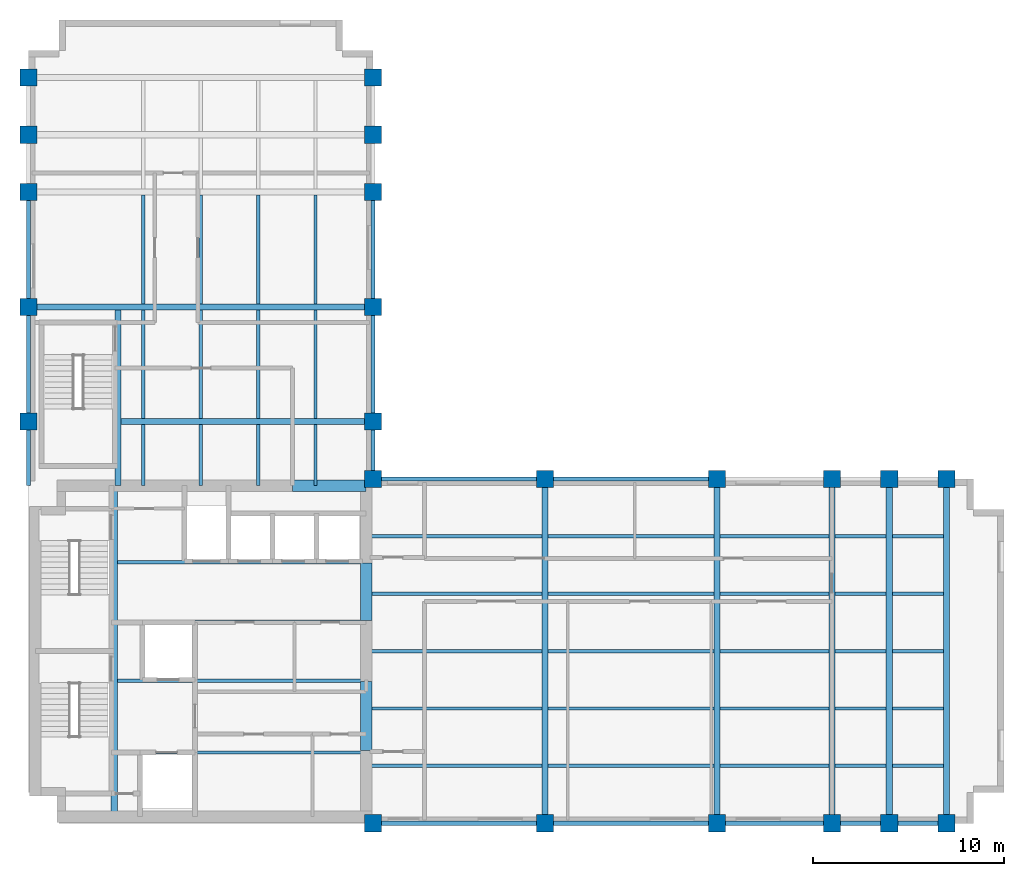
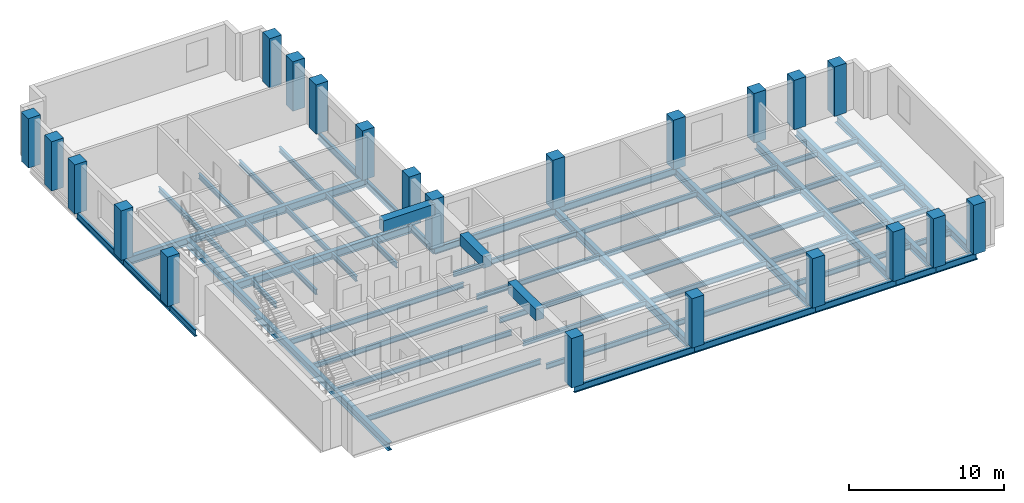
# One storey, part 1 of 6: 66 beams, 22 columns.
"""IFC4 building model written with IfcOpenShell, lengths in metres."""

from ifc_helpers import new_model, si_unit, direction, frame, origin, origin_2d, place, context, subcontext, project, spatial, rectangle, i_section, extrude, material, material_profile, profile_set, type_object, element, save


model = new_model("IFC4")

# Units and contexts
model_context = context("Model", 3, precision=1e-05, world=origin(), true_north=direction((0.0, 1.0)))
body_context = subcontext(model_context, "Body", "Model", "MODEL_VIEW")
ifc_project = project(units=[si_unit("LENGTHUNIT", "METRE"), si_unit("AREAUNIT", "SQUARE_METRE"), si_unit("VOLUMEUNIT", "CUBIC_METRE"), si_unit("PLANEANGLEUNIT", "RADIAN"), si_unit("MASSUNIT", "GRAM", prefix="KILO")], contexts=[model_context])

# Site, building, storey
site_placement = place(None, origin())
site = spatial("IfcSite", under=ifc_project, at=site_placement, CompositionType="ELEMENT")
building_placement = place(site_placement, origin())
building = spatial("IfcBuilding", under=site, at=building_placement, Name="Mawjdan Bourse Tower", CompositionType="ELEMENT")
storey_placement = place(building_placement, frame((0.0, 0.0, 187.800048828125)))
storey = spatial("IfcBuildingStorey", under=building, at=storey_placement, Name="L45", CompositionType="ELEMENT", Elevation=187.800048828125)

# Columns
ifc_material_1 = material(Name="Concrete C70/85", Category="concrete")
ifc_material_profile_1 = material_profile(ifc_material_1, rectangle(XDim=0.89990234375, YDim=0.89990234375, at=origin_2d()), Name="RC900X900")
ifc_profile_set_1 = profile_set([ifc_material_profile_1], Name="Concrete C70/85")
column_type = type_object("IfcColumnType", Name="COL-RC900X900", PredefinedType="COLUMN", material=ifc_profile_set_1)
for number, where, z_axis, x_axis, name in (
    (1, (24.0, 3.0, 0.0), (0.0, 0.0, 1.0), (1.0, 0.0, 0.0), "L45 Structural Column C-X240-Y30"),
    (2, (24.0, 21.0, 0.0), (0.0, 0.0, 1.0), (1.0, 0.0, 0.0), "L45 Structural Column C-X240-Y210"),
    (3, (33.0, 3.0, 0.0), (0.0, 0.0, 1.0), (1.0, 0.0, 0.0), "L45 Structural Column C-X330-Y30"),
    (4, (33.0, 21.0, 0.0), (0.0, 0.0, 1.0), (1.0, 0.0, 0.0), "L45 Structural Column C-X330-Y210"),
    (5, (42.0, 3.0, 0.0), (0.0, 0.0, 1.0), (1.0, 0.0, 0.0), "L45 Structural Column C-X420-Y30"),
    (6, (42.0, 21.0, 0.0), (0.0, 0.0, 1.0), (1.0, 0.0, 0.0), "L45 Structural Column C-X420-Y210"),
    (7, (48.0, 3.0, 0.0), (0.0, 0.0, 1.0), (1.0, 0.0, 0.0), "L45 Structural Column C-X480-Y30"),
    (8, (48.0, 21.0, 0.0), (0.0, 0.0, 1.0), (1.0, 0.0, 0.0), "L45 Structural Column C-X480-Y210"),
    (9, (51.0, 3.0, 0.0), (0.0, 0.0, 1.0), (1.0, 0.0, 0.0), "L45 Structural Column C-X510-Y30"),
    (10, (51.0, 21.0, 0.0), (0.0, 0.0, 1.0), (1.0, 0.0, 0.0), "L45 Structural Column C-X510-Y210"),
    (11, (54.0, 3.0, 0.0), (0.0, 0.0, 1.0), (1.0, 0.0, 0.0), "L45 Structural Column C-X540-Y30"),
    (12, (54.0, 21.0, 0.0), (0.0, 0.0, 1.0), (1.0, 0.0, 0.0), "L45 Structural Column C-X540-Y210"),
    (13, (6.0, 24.0, 0.0), (0.0, 0.0, 1.0), (1.0, 0.0, 0.0), "L45 Structural Column C-X60-Y240"),
    (14, (24.0, 24.0, 0.0), (0.0, 0.0, 1.0), (1.0, 0.0, 0.0), "L45 Structural Column C-X240-Y240"),
    (15, (6.0, 30.0, 0.0), (0.0, 0.0, 1.0), (1.0, 0.0, 0.0), "L45 Structural Column C-X60-Y300"),
    (16, (24.0, 30.0, 0.0), (0.0, 0.0, 1.0), (1.0, 0.0, 0.0), "L45 Structural Column C-X240-Y300"),
    (17, (6.0, 36.0, 0.0), (0.0, 0.0, 1.0), (1.0, 0.0, 0.0), "L45 Structural Column C-X60-Y360"),
    (18, (24.0, 36.0, 0.0), (0.0, 0.0, 1.0), (1.0, 0.0, 0.0), "L45 Structural Column C-X240-Y360"),
    (19, (6.0, 39.0, 0.0), (0.0, 0.0, 1.0), (1.0, 0.0, 0.0), "L45 Structural Column C-X60-Y390"),
    (20, (24.0, 39.0, 0.0), (0.0, 0.0, 1.0), (1.0, 0.0, 0.0), "L45 Structural Column C-X240-Y390"),
    (21, (6.0, 42.0, 0.0), (0.0, 0.0, 1.0), (1.0, 0.0, 0.0), "L45 Structural Column C-X60-Y420"),
    (22, (24.0, 42.0, 0.0), (0.0, 0.0, 1.0), (1.0, 0.0, 0.0), "L45 Structural Column C-X240-Y420"),
):
    element("IfcColumn", number, at=place(storey_placement, frame(where, z_axis=z_axis, x_axis=x_axis)), inside=storey, type_object=column_type, Name=name, PredefinedType="COLUMN", context=body_context, shape_type="SweptSolid", body=[
        extrude(rectangle(XDim=0.89990234375, YDim=0.89990234375, at=origin_2d()), origin(), (0.0, 0.0, 1.0), 3.89990234375),
    ])

# Beams
ifc_material_2 = material(Name="Structural Steel S355", Category="steel")
ifc_material_profile_2 = material_profile(ifc_material_2, i_section(OverallWidth=0.324951171875, OverallDepth=0.616943359375, WebThickness=0.013916015625, FlangeThickness=0.021484375, FilletRadius=0.017333984375, at=origin_2d()), Name="W24X117")
ifc_profile_set_2 = profile_set([ifc_material_profile_2], Name="Structural Steel S355")
beam_type_1 = type_object("IfcBeamType", Name="GRD-W24X117", PredefinedType="BEAM", material=ifc_profile_set_2)
beam_1_placement = place(storey_placement, frame((10.47998046875, 3.35009765625, -0.508544921875), z_axis=(0.0, 1.0, 0.0), x_axis=(-1.0, 0.0, 0.0)))
element("IfcBeam", 23, at=beam_1_placement, inside=storey, type_object=beam_type_1, Name="L45 Core Stair Trimmer Girder 001", PredefinedType="BEAM", context=body_context, shape_type="SweptSolid", body=[
    extrude(i_section(OverallWidth=0.324951171875, OverallDepth=0.616943359375, WebThickness=0.013916015625, FlangeThickness=0.021484375, FilletRadius=0.017333984375, at=origin_2d()), origin(), (0.0, 0.0, 1.0), 17.2998046875),
])
for number, where, z_axis, x_axis, name in (
    (24, (33.0, 3.0, -0.508544921875), (0.0, 1.0, 0.0), (-1.0, 0.0, 0.0), "L45 East Wing Clear-Span Girder 002"),
    (25, (42.0, 3.0, -0.508544921875), (0.0, 1.0, 0.0), (-1.0, 0.0, 0.0), "L45 East Wing Clear-Span Girder 003"),
    (26, (48.0, 3.0, -0.508544921875), (0.0, 1.0, 0.0), (-1.0, 0.0, 0.0), "L45 East Wing Clear-Span Girder 004"),
    (27, (51.0, 3.0, -0.508544921875), (0.0, 1.0, 0.0), (-1.0, 0.0, 0.0), "L45 East Wing Clear-Span Girder 005"),
    (28, (54.0, 3.0, -0.508544921875), (0.0, 1.0, 0.0), (-1.0, 0.0, 0.0), "L45 East Wing Clear-Span Girder 006"),
):
    element("IfcBeam", number, at=place(storey_placement, frame(where, z_axis=z_axis, x_axis=x_axis)), inside=storey, type_object=beam_type_1, Name=name, PredefinedType="BEAM", context=body_context, shape_type="SweptSolid", body=[
        extrude(i_section(OverallWidth=0.324951171875, OverallDepth=0.616943359375, WebThickness=0.013916015625, FlangeThickness=0.021484375, FilletRadius=0.017333984375, at=origin_2d()), origin(), (0.0, 0.0, 1.0), 18.0),
    ])
beam_2_placement = place(storey_placement, frame((10.679931640625, 20.64990234375, -0.508544921875), z_axis=(0.0, 1.0, 0.0), x_axis=(-1.0, 0.0, 0.0)))
element("IfcBeam", 29, at=beam_2_placement, inside=storey, type_object=beam_type_1, Name="L45 North Wing Stair Trimmer Girder 046", PredefinedType="BEAM", context=body_context, shape_type="SweptSolid", body=[
    extrude(i_section(OverallWidth=0.324951171875, OverallDepth=0.616943359375, WebThickness=0.013916015625, FlangeThickness=0.021484375, FilletRadius=0.017333984375, at=origin_2d()), origin(), (0.0, 0.0, 1.0), 9.189697265625),
])
beam_3_placement = place(storey_placement, frame((10.840576171875, 24.0, -0.508544921875), z_axis=(1.0, 0.0, 0.0), x_axis=(0.0, 1.0, 0.0)))
element("IfcBeam", 30, at=beam_3_placement, inside=storey, type_object=beam_type_1, Name="L45 North Wing Clear-Span Girder 047", PredefinedType="BEAM", context=body_context, shape_type="SweptSolid", body=[
    extrude(i_section(OverallWidth=0.324951171875, OverallDepth=0.616943359375, WebThickness=0.013916015625, FlangeThickness=0.021484375, FilletRadius=0.017333984375, at=origin_2d()), origin(), (0.0, 0.0, 1.0), 13.159423828125),
])
beam_4_placement = place(storey_placement, frame((6.0, 30.0, -0.508544921875), z_axis=(1.0, 0.0, 0.0), x_axis=(0.0, 1.0, 0.0)))
element("IfcBeam", 31, at=beam_4_placement, inside=storey, type_object=beam_type_1, Name="L45 North Wing Clear-Span Girder 048", PredefinedType="BEAM", context=body_context, shape_type="SweptSolid", body=[
    extrude(i_section(OverallWidth=0.324951171875, OverallDepth=0.616943359375, WebThickness=0.013916015625, FlangeThickness=0.021484375, FilletRadius=0.017333984375, at=origin_2d()), origin(), (0.0, 0.0, 1.0), 18.0),
])
ifc_material_profile_3 = material_profile(ifc_material_2, i_section(OverallWidth=0.177978515625, OverallDepth=0.406982421875, WebThickness=0.0078125, FlangeThickness=0.0126953125, FilletRadius=0.01025390625, at=origin_2d()), Name="W16X40")
ifc_profile_set_3 = profile_set([ifc_material_profile_3], Name="Structural Steel S355")
beam_type_2 = type_object("IfcBeamType", Name="JST-W16X40", PredefinedType="JOIST", material=ifc_profile_set_3)
beam_5_placement = place(storey_placement, frame((23.64990234375, 6.0, -0.403564453125), z_axis=(1.0, 0.0, 0.0), x_axis=(0.0, 1.0, 0.0)))
element("IfcBeam", 32, at=beam_5_placement, inside=storey, type_object=beam_type_2, Name="L45 East Wing Composite Joist 017", PredefinedType="JOIST", context=body_context, shape_type="SweptSolid", body=[
    extrude(i_section(OverallWidth=0.177978515625, OverallDepth=0.406982421875, WebThickness=0.0078125, FlangeThickness=0.0126953125, FilletRadius=0.01025390625, at=origin_2d()), origin(), (0.0, 0.0, 1.0), 9.189697265625),
])
beam_6_placement = place(storey_placement, frame((33.160400390625, 6.0, -0.403564453125), z_axis=(1.0, 0.0, 0.0), x_axis=(0.0, 1.0, 0.0)))
element("IfcBeam", 33, at=beam_6_placement, inside=storey, type_object=beam_type_2, Name="L45 East Wing Composite Joist 018", PredefinedType="JOIST", context=body_context, shape_type="SweptSolid", body=[
    extrude(i_section(OverallWidth=0.177978515625, OverallDepth=0.406982421875, WebThickness=0.0078125, FlangeThickness=0.0126953125, FilletRadius=0.01025390625, at=origin_2d()), origin(), (0.0, 0.0, 1.0), 8.67919921875),
])
beam_7_placement = place(storey_placement, frame((42.160400390625, 6.0, -0.403564453125), z_axis=(1.0, 0.0, 0.0), x_axis=(0.0, 1.0, 0.0)))
element("IfcBeam", 34, at=beam_7_placement, inside=storey, type_object=beam_type_2, Name="L45 East Wing Composite Joist 019", PredefinedType="JOIST", context=body_context, shape_type="SweptSolid", body=[
    extrude(i_section(OverallWidth=0.177978515625, OverallDepth=0.406982421875, WebThickness=0.0078125, FlangeThickness=0.0126953125, FilletRadius=0.01025390625, at=origin_2d()), origin(), (0.0, 0.0, 1.0), 5.67919921875),
])
for number, where, z_axis, x_axis, name in (
    (35, (48.160400390625, 6.0, -0.403564453125), (1.0, 0.0, 0.0), (0.0, 1.0, 0.0), "L45 East Wing Composite Joist 020"),
    (36, (51.160400390625, 6.0, -0.403564453125), (1.0, 0.0, 0.0), (0.0, 1.0, 0.0), "L45 East Wing Composite Joist 021"),
):
    element("IfcBeam", number, at=place(storey_placement, frame(where, z_axis=z_axis, x_axis=x_axis)), inside=storey, type_object=beam_type_2, Name=name, PredefinedType="JOIST", context=body_context, shape_type="SweptSolid", body=[
        extrude(i_section(OverallWidth=0.177978515625, OverallDepth=0.406982421875, WebThickness=0.0078125, FlangeThickness=0.0126953125, FilletRadius=0.01025390625, at=origin_2d()), origin(), (0.0, 0.0, 1.0), 2.67919921875),
    ])
beam_8_placement = place(storey_placement, frame((23.64990234375, 9.0, -0.403564453125), z_axis=(1.0, 0.0, 0.0), x_axis=(0.0, 1.0, 0.0)))
element("IfcBeam", 37, at=beam_8_placement, inside=storey, type_object=beam_type_2, Name="L45 East Wing Composite Joist 022", PredefinedType="JOIST", context=body_context, shape_type="SweptSolid", body=[
    extrude(i_section(OverallWidth=0.177978515625, OverallDepth=0.406982421875, WebThickness=0.0078125, FlangeThickness=0.0126953125, FilletRadius=0.01025390625, at=origin_2d()), origin(), (0.0, 0.0, 1.0), 9.189697265625),
])
beam_9_placement = place(storey_placement, frame((33.160400390625, 9.0, -0.403564453125), z_axis=(1.0, 0.0, 0.0), x_axis=(0.0, 1.0, 0.0)))
element("IfcBeam", 38, at=beam_9_placement, inside=storey, type_object=beam_type_2, Name="L45 East Wing Composite Joist 023", PredefinedType="JOIST", context=body_context, shape_type="SweptSolid", body=[
    extrude(i_section(OverallWidth=0.177978515625, OverallDepth=0.406982421875, WebThickness=0.0078125, FlangeThickness=0.0126953125, FilletRadius=0.01025390625, at=origin_2d()), origin(), (0.0, 0.0, 1.0), 8.67919921875),
])
beam_10_placement = place(storey_placement, frame((42.160400390625, 9.0, -0.403564453125), z_axis=(1.0, 0.0, 0.0), x_axis=(0.0, 1.0, 0.0)))
element("IfcBeam", 39, at=beam_10_placement, inside=storey, type_object=beam_type_2, Name="L45 East Wing Composite Joist 024", PredefinedType="JOIST", context=body_context, shape_type="SweptSolid", body=[
    extrude(i_section(OverallWidth=0.177978515625, OverallDepth=0.406982421875, WebThickness=0.0078125, FlangeThickness=0.0126953125, FilletRadius=0.01025390625, at=origin_2d()), origin(), (0.0, 0.0, 1.0), 5.67919921875),
])
for number, where, z_axis, x_axis, name in (
    (40, (48.160400390625, 9.0, -0.403564453125), (1.0, 0.0, 0.0), (0.0, 1.0, 0.0), "L45 East Wing Composite Joist 025"),
    (41, (51.160400390625, 9.0, -0.403564453125), (1.0, 0.0, 0.0), (0.0, 1.0, 0.0), "L45 East Wing Composite Joist 026"),
):
    element("IfcBeam", number, at=place(storey_placement, frame(where, z_axis=z_axis, x_axis=x_axis)), inside=storey, type_object=beam_type_2, Name=name, PredefinedType="JOIST", context=body_context, shape_type="SweptSolid", body=[
        extrude(i_section(OverallWidth=0.177978515625, OverallDepth=0.406982421875, WebThickness=0.0078125, FlangeThickness=0.0126953125, FilletRadius=0.01025390625, at=origin_2d()), origin(), (0.0, 0.0, 1.0), 2.67919921875),
    ])
beam_11_placement = place(storey_placement, frame((23.64990234375, 12.0, -0.403564453125), z_axis=(1.0, 0.0, 0.0), x_axis=(0.0, 1.0, 0.0)))
element("IfcBeam", 42, at=beam_11_placement, inside=storey, type_object=beam_type_2, Name="L45 East Wing Composite Joist 027", PredefinedType="JOIST", context=body_context, shape_type="SweptSolid", body=[
    extrude(i_section(OverallWidth=0.177978515625, OverallDepth=0.406982421875, WebThickness=0.0078125, FlangeThickness=0.0126953125, FilletRadius=0.01025390625, at=origin_2d()), origin(), (0.0, 0.0, 1.0), 9.189697265625),
])
beam_12_placement = place(storey_placement, frame((33.160400390625, 12.0, -0.403564453125), z_axis=(1.0, 0.0, 0.0), x_axis=(0.0, 1.0, 0.0)))
element("IfcBeam", 43, at=beam_12_placement, inside=storey, type_object=beam_type_2, Name="L45 East Wing Composite Joist 028", PredefinedType="JOIST", context=body_context, shape_type="SweptSolid", body=[
    extrude(i_section(OverallWidth=0.177978515625, OverallDepth=0.406982421875, WebThickness=0.0078125, FlangeThickness=0.0126953125, FilletRadius=0.01025390625, at=origin_2d()), origin(), (0.0, 0.0, 1.0), 8.67919921875),
])
beam_13_placement = place(storey_placement, frame((42.160400390625, 12.0, -0.403564453125), z_axis=(1.0, 0.0, 0.0), x_axis=(0.0, 1.0, 0.0)))
element("IfcBeam", 44, at=beam_13_placement, inside=storey, type_object=beam_type_2, Name="L45 East Wing Composite Joist 029", PredefinedType="JOIST", context=body_context, shape_type="SweptSolid", body=[
    extrude(i_section(OverallWidth=0.177978515625, OverallDepth=0.406982421875, WebThickness=0.0078125, FlangeThickness=0.0126953125, FilletRadius=0.01025390625, at=origin_2d()), origin(), (0.0, 0.0, 1.0), 5.67919921875),
])
for number, where, z_axis, x_axis, name in (
    (45, (48.160400390625, 12.0, -0.403564453125), (1.0, 0.0, 0.0), (0.0, 1.0, 0.0), "L45 East Wing Composite Joist 030"),
    (46, (51.160400390625, 12.0, -0.403564453125), (1.0, 0.0, 0.0), (0.0, 1.0, 0.0), "L45 East Wing Composite Joist 031"),
):
    element("IfcBeam", number, at=place(storey_placement, frame(where, z_axis=z_axis, x_axis=x_axis)), inside=storey, type_object=beam_type_2, Name=name, PredefinedType="JOIST", context=body_context, shape_type="SweptSolid", body=[
        extrude(i_section(OverallWidth=0.177978515625, OverallDepth=0.406982421875, WebThickness=0.0078125, FlangeThickness=0.0126953125, FilletRadius=0.01025390625, at=origin_2d()), origin(), (0.0, 0.0, 1.0), 2.67919921875),
    ])
beam_14_placement = place(storey_placement, frame((23.64990234375, 15.0, -0.403564453125), z_axis=(1.0, 0.0, 0.0), x_axis=(0.0, 1.0, 0.0)))
element("IfcBeam", 47, at=beam_14_placement, inside=storey, type_object=beam_type_2, Name="L45 East Wing Composite Joist 032", PredefinedType="JOIST", context=body_context, shape_type="SweptSolid", body=[
    extrude(i_section(OverallWidth=0.177978515625, OverallDepth=0.406982421875, WebThickness=0.0078125, FlangeThickness=0.0126953125, FilletRadius=0.01025390625, at=origin_2d()), origin(), (0.0, 0.0, 1.0), 9.189697265625),
])
beam_15_placement = place(storey_placement, frame((33.160400390625, 15.0, -0.403564453125), z_axis=(1.0, 0.0, 0.0), x_axis=(0.0, 1.0, 0.0)))
element("IfcBeam", 48, at=beam_15_placement, inside=storey, type_object=beam_type_2, Name="L45 East Wing Composite Joist 033", PredefinedType="JOIST", context=body_context, shape_type="SweptSolid", body=[
    extrude(i_section(OverallWidth=0.177978515625, OverallDepth=0.406982421875, WebThickness=0.0078125, FlangeThickness=0.0126953125, FilletRadius=0.01025390625, at=origin_2d()), origin(), (0.0, 0.0, 1.0), 8.67919921875),
])
beam_16_placement = place(storey_placement, frame((42.160400390625, 15.0, -0.403564453125), z_axis=(1.0, 0.0, 0.0), x_axis=(0.0, 1.0, 0.0)))
element("IfcBeam", 49, at=beam_16_placement, inside=storey, type_object=beam_type_2, Name="L45 East Wing Composite Joist 034", PredefinedType="JOIST", context=body_context, shape_type="SweptSolid", body=[
    extrude(i_section(OverallWidth=0.177978515625, OverallDepth=0.406982421875, WebThickness=0.0078125, FlangeThickness=0.0126953125, FilletRadius=0.01025390625, at=origin_2d()), origin(), (0.0, 0.0, 1.0), 5.67919921875),
])
for number, where, z_axis, x_axis, name in (
    (50, (48.160400390625, 15.0, -0.403564453125), (1.0, 0.0, 0.0), (0.0, 1.0, 0.0), "L45 East Wing Composite Joist 035"),
    (51, (51.160400390625, 15.0, -0.403564453125), (1.0, 0.0, 0.0), (0.0, 1.0, 0.0), "L45 East Wing Composite Joist 036"),
):
    element("IfcBeam", number, at=place(storey_placement, frame(where, z_axis=z_axis, x_axis=x_axis)), inside=storey, type_object=beam_type_2, Name=name, PredefinedType="JOIST", context=body_context, shape_type="SweptSolid", body=[
        extrude(i_section(OverallWidth=0.177978515625, OverallDepth=0.406982421875, WebThickness=0.0078125, FlangeThickness=0.0126953125, FilletRadius=0.01025390625, at=origin_2d()), origin(), (0.0, 0.0, 1.0), 2.67919921875),
    ])
beam_17_placement = place(storey_placement, frame((23.64990234375, 18.0, -0.403564453125), z_axis=(1.0, 0.0, 0.0), x_axis=(0.0, 1.0, 0.0)))
element("IfcBeam", 52, at=beam_17_placement, inside=storey, type_object=beam_type_2, Name="L45 East Wing Composite Joist 037", PredefinedType="JOIST", context=body_context, shape_type="SweptSolid", body=[
    extrude(i_section(OverallWidth=0.177978515625, OverallDepth=0.406982421875, WebThickness=0.0078125, FlangeThickness=0.0126953125, FilletRadius=0.01025390625, at=origin_2d()), origin(), (0.0, 0.0, 1.0), 9.189697265625),
])
beam_18_placement = place(storey_placement, frame((33.160400390625, 18.0, -0.403564453125), z_axis=(1.0, 0.0, 0.0), x_axis=(0.0, 1.0, 0.0)))
element("IfcBeam", 53, at=beam_18_placement, inside=storey, type_object=beam_type_2, Name="L45 East Wing Composite Joist 038", PredefinedType="JOIST", context=body_context, shape_type="SweptSolid", body=[
    extrude(i_section(OverallWidth=0.177978515625, OverallDepth=0.406982421875, WebThickness=0.0078125, FlangeThickness=0.0126953125, FilletRadius=0.01025390625, at=origin_2d()), origin(), (0.0, 0.0, 1.0), 8.67919921875),
])
beam_19_placement = place(storey_placement, frame((42.160400390625, 18.0, -0.403564453125), z_axis=(1.0, 0.0, 0.0), x_axis=(0.0, 1.0, 0.0)))
element("IfcBeam", 54, at=beam_19_placement, inside=storey, type_object=beam_type_2, Name="L45 East Wing Composite Joist 039", PredefinedType="JOIST", context=body_context, shape_type="SweptSolid", body=[
    extrude(i_section(OverallWidth=0.177978515625, OverallDepth=0.406982421875, WebThickness=0.0078125, FlangeThickness=0.0126953125, FilletRadius=0.01025390625, at=origin_2d()), origin(), (0.0, 0.0, 1.0), 5.67919921875),
])
for number, where, z_axis, x_axis, name in (
    (55, (48.160400390625, 18.0, -0.403564453125), (1.0, 0.0, 0.0), (0.0, 1.0, 0.0), "L45 East Wing Composite Joist 040"),
    (56, (51.160400390625, 18.0, -0.403564453125), (1.0, 0.0, 0.0), (0.0, 1.0, 0.0), "L45 East Wing Composite Joist 041"),
):
    element("IfcBeam", number, at=place(storey_placement, frame(where, z_axis=z_axis, x_axis=x_axis)), inside=storey, type_object=beam_type_2, Name=name, PredefinedType="JOIST", context=body_context, shape_type="SweptSolid", body=[
        extrude(i_section(OverallWidth=0.177978515625, OverallDepth=0.406982421875, WebThickness=0.0078125, FlangeThickness=0.0126953125, FilletRadius=0.01025390625, at=origin_2d()), origin(), (0.0, 0.0, 1.0), 2.67919921875),
    ])
for number, where, z_axis, x_axis, name in (
    (57, (10.640380859375, 6.699951171875, -0.403564453125), (1.0, 0.0, 0.0), (0.0, 1.0, 0.0), "L45 Core Floor Joist 042"),
    (58, (10.640380859375, 10.449951171875, -0.403564453125), (1.0, 0.0, 0.0), (0.0, 1.0, 0.0), "L45 Core Floor Joist 043"),
    (59, (10.640380859375, 13.550048828125, -0.403564453125), (1.0, 0.0, 0.0), (0.0, 1.0, 0.0), "L45 Core Floor Joist 044"),
    (60, (10.640380859375, 16.64990234375, -0.403564453125), (1.0, 0.0, 0.0), (0.0, 1.0, 0.0), "L45 Core Floor Joist 045"),
):
    element("IfcBeam", number, at=place(storey_placement, frame(where, z_axis=z_axis, x_axis=x_axis)), inside=storey, type_object=beam_type_2, Name=name, PredefinedType="JOIST", context=body_context, shape_type="SweptSolid", body=[
        extrude(i_section(OverallWidth=0.177978515625, OverallDepth=0.406982421875, WebThickness=0.0078125, FlangeThickness=0.0126953125, FilletRadius=0.01025390625, at=origin_2d()), origin(), (0.0, 0.0, 1.0), 13.009521484375),
    ])
beam_20_placement = place(storey_placement, frame((12.0, 20.64990234375, -0.403564453125), z_axis=(0.0, 1.0, 0.0), x_axis=(-1.0, 0.0, 0.0)))
element("IfcBeam", 61, at=beam_20_placement, inside=storey, type_object=beam_type_2, Name="L45 North Wing Composite Joist 062", PredefinedType="JOIST", context=body_context, shape_type="SweptSolid", body=[
    extrude(i_section(OverallWidth=0.177978515625, OverallDepth=0.406982421875, WebThickness=0.0078125, FlangeThickness=0.0126953125, FilletRadius=0.01025390625, at=origin_2d()), origin(), (0.0, 0.0, 1.0), 3.189697265625),
])
for number, where, z_axis, x_axis, name in (
    (62, (12.0, 24.160400390625, -0.403564453125), (0.0, 1.0, 0.0), (-1.0, 0.0, 0.0), "L45 North Wing Composite Joist 063"),
    (63, (12.0, 30.160400390625, -0.403564453125), (0.0, 1.0, 0.0), (-1.0, 0.0, 0.0), "L45 North Wing Composite Joist 064"),
):
    element("IfcBeam", number, at=place(storey_placement, frame(where, z_axis=z_axis, x_axis=x_axis)), inside=storey, type_object=beam_type_2, Name=name, PredefinedType="JOIST", context=body_context, shape_type="SweptSolid", body=[
        extrude(i_section(OverallWidth=0.177978515625, OverallDepth=0.406982421875, WebThickness=0.0078125, FlangeThickness=0.0126953125, FilletRadius=0.01025390625, at=origin_2d()), origin(), (0.0, 0.0, 1.0), 5.67919921875),
    ])
beam_21_placement = place(storey_placement, frame((15.0, 20.64990234375, -0.403564453125), z_axis=(0.0, 1.0, 0.0), x_axis=(-1.0, 0.0, 0.0)))
element("IfcBeam", 64, at=beam_21_placement, inside=storey, type_object=beam_type_2, Name="L45 North Wing Composite Joist 067", PredefinedType="JOIST", context=body_context, shape_type="SweptSolid", body=[
    extrude(i_section(OverallWidth=0.177978515625, OverallDepth=0.406982421875, WebThickness=0.0078125, FlangeThickness=0.0126953125, FilletRadius=0.01025390625, at=origin_2d()), origin(), (0.0, 0.0, 1.0), 3.189697265625),
])
for number, where, z_axis, x_axis, name in (
    (65, (15.0, 24.160400390625, -0.403564453125), (0.0, 1.0, 0.0), (-1.0, 0.0, 0.0), "L45 North Wing Composite Joist 068"),
    (66, (15.0, 30.160400390625, -0.403564453125), (0.0, 1.0, 0.0), (-1.0, 0.0, 0.0), "L45 North Wing Composite Joist 069"),
):
    element("IfcBeam", number, at=place(storey_placement, frame(where, z_axis=z_axis, x_axis=x_axis)), inside=storey, type_object=beam_type_2, Name=name, PredefinedType="JOIST", context=body_context, shape_type="SweptSolid", body=[
        extrude(i_section(OverallWidth=0.177978515625, OverallDepth=0.406982421875, WebThickness=0.0078125, FlangeThickness=0.0126953125, FilletRadius=0.01025390625, at=origin_2d()), origin(), (0.0, 0.0, 1.0), 5.67919921875),
    ])
beam_22_placement = place(storey_placement, frame((18.0, 20.64990234375, -0.403564453125), z_axis=(0.0, 1.0, 0.0), x_axis=(-1.0, 0.0, 0.0)))
element("IfcBeam", 67, at=beam_22_placement, inside=storey, type_object=beam_type_2, Name="L45 North Wing Composite Joist 072", PredefinedType="JOIST", context=body_context, shape_type="SweptSolid", body=[
    extrude(i_section(OverallWidth=0.177978515625, OverallDepth=0.406982421875, WebThickness=0.0078125, FlangeThickness=0.0126953125, FilletRadius=0.01025390625, at=origin_2d()), origin(), (0.0, 0.0, 1.0), 3.189697265625),
])
for number, where, z_axis, x_axis, name in (
    (68, (18.0, 24.160400390625, -0.403564453125), (0.0, 1.0, 0.0), (-1.0, 0.0, 0.0), "L45 North Wing Composite Joist 073"),
    (69, (18.0, 30.160400390625, -0.403564453125), (0.0, 1.0, 0.0), (-1.0, 0.0, 0.0), "L45 North Wing Composite Joist 074"),
):
    element("IfcBeam", number, at=place(storey_placement, frame(where, z_axis=z_axis, x_axis=x_axis)), inside=storey, type_object=beam_type_2, Name=name, PredefinedType="JOIST", context=body_context, shape_type="SweptSolid", body=[
        extrude(i_section(OverallWidth=0.177978515625, OverallDepth=0.406982421875, WebThickness=0.0078125, FlangeThickness=0.0126953125, FilletRadius=0.01025390625, at=origin_2d()), origin(), (0.0, 0.0, 1.0), 5.67919921875),
    ])
beam_23_placement = place(storey_placement, frame((21.0, 20.64990234375, -0.403564453125), z_axis=(0.0, 1.0, 0.0), x_axis=(-1.0, 0.0, 0.0)))
element("IfcBeam", 70, at=beam_23_placement, inside=storey, type_object=beam_type_2, Name="L45 North Wing Composite Joist 077", PredefinedType="JOIST", context=body_context, shape_type="SweptSolid", body=[
    extrude(i_section(OverallWidth=0.177978515625, OverallDepth=0.406982421875, WebThickness=0.0078125, FlangeThickness=0.0126953125, FilletRadius=0.01025390625, at=origin_2d()), origin(), (0.0, 0.0, 1.0), 3.189697265625),
])
for number, where, z_axis, x_axis, name in (
    (71, (21.0, 24.160400390625, -0.403564453125), (0.0, 1.0, 0.0), (-1.0, 0.0, 0.0), "L45 North Wing Composite Joist 078"),
    (72, (21.0, 30.160400390625, -0.403564453125), (0.0, 1.0, 0.0), (-1.0, 0.0, 0.0), "L45 North Wing Composite Joist 079"),
):
    element("IfcBeam", number, at=place(storey_placement, frame(where, z_axis=z_axis, x_axis=x_axis)), inside=storey, type_object=beam_type_2, Name=name, PredefinedType="JOIST", context=body_context, shape_type="SweptSolid", body=[
        extrude(i_section(OverallWidth=0.177978515625, OverallDepth=0.406982421875, WebThickness=0.0078125, FlangeThickness=0.0126953125, FilletRadius=0.01025390625, at=origin_2d()), origin(), (0.0, 0.0, 1.0), 5.67919921875),
    ])
ifc_material_profile_4 = material_profile(ifc_material_1, rectangle(XDim=0.60009765625, YDim=0.89990234375, at=origin_2d()), Name="RCB600X900")
ifc_profile_set_4 = profile_set([ifc_material_profile_4], Name="Concrete C70/85")
beam_type_3 = type_object("IfcBeamType", Name="LNT-RCB600X900", PredefinedType="LINTEL", material=ifc_profile_set_4)
beam_24_placement = place(storey_placement, frame((23.64990234375, 6.800048828125, 3.25), z_axis=(0.0, 1.0, 0.0), x_axis=(-1.0, 0.0, 0.0)))
element("IfcBeam", 73, at=beam_24_placement, inside=storey, type_object=beam_type_3, Name="L45 Coupled Core Lintel CB-E1", PredefinedType="LINTEL", context=body_context, shape_type="SweptSolid", body=[
    extrude(rectangle(XDim=0.60009765625, YDim=0.89990234375, at=origin_2d()), origin(), (0.0, 0.0, 1.0), 3.599853515625),
])
beam_25_placement = place(storey_placement, frame((23.64990234375, 13.60009765625, 3.25), z_axis=(0.0, 1.0, 0.0), x_axis=(-1.0, 0.0, 0.0)))
element("IfcBeam", 74, at=beam_25_placement, inside=storey, type_object=beam_type_3, Name="L45 Coupled Core Lintel CB-E2", PredefinedType="LINTEL", context=body_context, shape_type="SweptSolid", body=[
    extrude(rectangle(XDim=0.60009765625, YDim=0.89990234375, at=origin_2d()), origin(), (0.0, 0.0, 1.0), 3.0),
])
beam_26_placement = place(storey_placement, frame((19.800048828125, 20.64990234375, 3.25), z_axis=(1.0, 0.0, 0.0), x_axis=(0.0, 1.0, 0.0)))
element("IfcBeam", 75, at=beam_26_placement, inside=storey, type_object=beam_type_3, Name="L45 Coupled Core Lintel CB-N1", PredefinedType="LINTEL", context=body_context, shape_type="SweptSolid", body=[
    extrude(rectangle(XDim=0.60009765625, YDim=0.89990234375, at=origin_2d()), origin(), (0.0, 0.0, 1.0), 3.849853515625),
])
ifc_material_profile_5 = material_profile(ifc_material_2, i_section(OverallWidth=0.2119140625, OverallDepth=0.5439453125, WebThickness=0.01318359375, FlangeThickness=0.021240234375, FilletRadius=0.01708984375, at=origin_2d()), Name="W21X83")
ifc_profile_set_5 = profile_set([ifc_material_profile_5], Name="Structural Steel S355")
beam_type_4 = type_object("IfcBeamType", Name="SPN-W21X83", PredefinedType="SPANDREL", material=ifc_profile_set_5)
for number, where, z_axis, x_axis, name in (
    (76, (24.0, 3.0, -0.47216796875), (1.0, 0.0, 0.0), (0.0, 1.0, 0.0), "L45 Perimeter Masonry-Shelf Spandrel 007"),
    (77, (33.0, 3.0, -0.47216796875), (1.0, 0.0, 0.0), (0.0, 1.0, 0.0), "L45 Perimeter Masonry-Shelf Spandrel 008"),
):
    element("IfcBeam", number, at=place(storey_placement, frame(where, z_axis=z_axis, x_axis=x_axis)), inside=storey, type_object=beam_type_4, Name=name, PredefinedType="SPANDREL", context=body_context, shape_type="SweptSolid", body=[
        extrude(i_section(OverallWidth=0.2119140625, OverallDepth=0.5439453125, WebThickness=0.01318359375, FlangeThickness=0.021240234375, FilletRadius=0.01708984375, at=origin_2d()), origin(), (0.0, 0.0, 1.0), 9.0),
    ])
beam_27_placement = place(storey_placement, frame((42.0, 3.0, -0.47216796875), z_axis=(1.0, 0.0, 0.0), x_axis=(0.0, 1.0, 0.0)))
element("IfcBeam", 78, at=beam_27_placement, inside=storey, type_object=beam_type_4, Name="L45 Perimeter Masonry-Shelf Spandrel 009", PredefinedType="SPANDREL", context=body_context, shape_type="SweptSolid", body=[
    extrude(i_section(OverallWidth=0.2119140625, OverallDepth=0.5439453125, WebThickness=0.01318359375, FlangeThickness=0.021240234375, FilletRadius=0.01708984375, at=origin_2d()), origin(), (0.0, 0.0, 1.0), 6.0),
])
for number, where, z_axis, x_axis, name in (
    (79, (48.0, 3.0, -0.47216796875), (1.0, 0.0, 0.0), (0.0, 1.0, 0.0), "L45 Perimeter Masonry-Shelf Spandrel 010"),
    (80, (51.0, 3.0, -0.47216796875), (1.0, 0.0, 0.0), (0.0, 1.0, 0.0), "L45 Perimeter Masonry-Shelf Spandrel 011"),
):
    element("IfcBeam", number, at=place(storey_placement, frame(where, z_axis=z_axis, x_axis=x_axis)), inside=storey, type_object=beam_type_4, Name=name, PredefinedType="SPANDREL", context=body_context, shape_type="SweptSolid", body=[
        extrude(i_section(OverallWidth=0.2119140625, OverallDepth=0.5439453125, WebThickness=0.01318359375, FlangeThickness=0.021240234375, FilletRadius=0.01708984375, at=origin_2d()), origin(), (0.0, 0.0, 1.0), 3.0),
    ])
for number, where, z_axis, x_axis, name in (
    (81, (24.0, 21.0, -0.47216796875), (1.0, 0.0, 0.0), (0.0, 1.0, 0.0), "L45 Perimeter Masonry-Shelf Spandrel 012"),
    (82, (33.0, 21.0, -0.47216796875), (1.0, 0.0, 0.0), (0.0, 1.0, 0.0), "L45 Perimeter Masonry-Shelf Spandrel 013"),
):
    element("IfcBeam", number, at=place(storey_placement, frame(where, z_axis=z_axis, x_axis=x_axis)), inside=storey, type_object=beam_type_4, Name=name, PredefinedType="SPANDREL", context=body_context, shape_type="SweptSolid", body=[
        extrude(i_section(OverallWidth=0.2119140625, OverallDepth=0.5439453125, WebThickness=0.01318359375, FlangeThickness=0.021240234375, FilletRadius=0.01708984375, at=origin_2d()), origin(), (0.0, 0.0, 1.0), 9.0),
    ])
beam_28_placement = place(storey_placement, frame((6.0, 20.64990234375, -0.47216796875), z_axis=(0.0, 1.0, 0.0), x_axis=(-1.0, 0.0, 0.0)))
element("IfcBeam", 83, at=beam_28_placement, inside=storey, type_object=beam_type_4, Name="L45 North Wing Spandrel 052", PredefinedType="SPANDREL", context=body_context, shape_type="SweptSolid", body=[
    extrude(i_section(OverallWidth=0.2119140625, OverallDepth=0.5439453125, WebThickness=0.01318359375, FlangeThickness=0.021240234375, FilletRadius=0.01708984375, at=origin_2d()), origin(), (0.0, 0.0, 1.0), 3.35009765625),
])
for number, where, z_axis, x_axis, name in (
    (84, (6.0, 24.0, -0.47216796875), (0.0, 1.0, 0.0), (-1.0, 0.0, 0.0), "L45 North Wing Spandrel 053"),
    (85, (6.0, 30.0, -0.47216796875), (0.0, 1.0, 0.0), (-1.0, 0.0, 0.0), "L45 North Wing Spandrel 054"),
):
    element("IfcBeam", number, at=place(storey_placement, frame(where, z_axis=z_axis, x_axis=x_axis)), inside=storey, type_object=beam_type_4, Name=name, PredefinedType="SPANDREL", context=body_context, shape_type="SweptSolid", body=[
        extrude(i_section(OverallWidth=0.2119140625, OverallDepth=0.5439453125, WebThickness=0.01318359375, FlangeThickness=0.021240234375, FilletRadius=0.01708984375, at=origin_2d()), origin(), (0.0, 0.0, 1.0), 6.0),
    ])
beam_29_placement = place(storey_placement, frame((24.0, 21.0, -0.47216796875), z_axis=(0.0, 1.0, 0.0), x_axis=(-1.0, 0.0, 0.0)))
element("IfcBeam", 86, at=beam_29_placement, inside=storey, type_object=beam_type_4, Name="L45 North Wing Spandrel 057", PredefinedType="SPANDREL", context=body_context, shape_type="SweptSolid", body=[
    extrude(i_section(OverallWidth=0.2119140625, OverallDepth=0.5439453125, WebThickness=0.01318359375, FlangeThickness=0.021240234375, FilletRadius=0.01708984375, at=origin_2d()), origin(), (0.0, 0.0, 1.0), 3.0),
])
for number, where, z_axis, x_axis, name in (
    (87, (24.0, 24.0, -0.47216796875), (0.0, 1.0, 0.0), (-1.0, 0.0, 0.0), "L45 North Wing Spandrel 058"),
    (88, (24.0, 30.0, -0.47216796875), (0.0, 1.0, 0.0), (-1.0, 0.0, 0.0), "L45 North Wing Spandrel 059"),
):
    element("IfcBeam", number, at=place(storey_placement, frame(where, z_axis=z_axis, x_axis=x_axis)), inside=storey, type_object=beam_type_4, Name=name, PredefinedType="SPANDREL", context=body_context, shape_type="SweptSolid", body=[
        extrude(i_section(OverallWidth=0.2119140625, OverallDepth=0.5439453125, WebThickness=0.01318359375, FlangeThickness=0.021240234375, FilletRadius=0.01708984375, at=origin_2d()), origin(), (0.0, 0.0, 1.0), 6.0),
    ])

save(model, "model.ifc")
